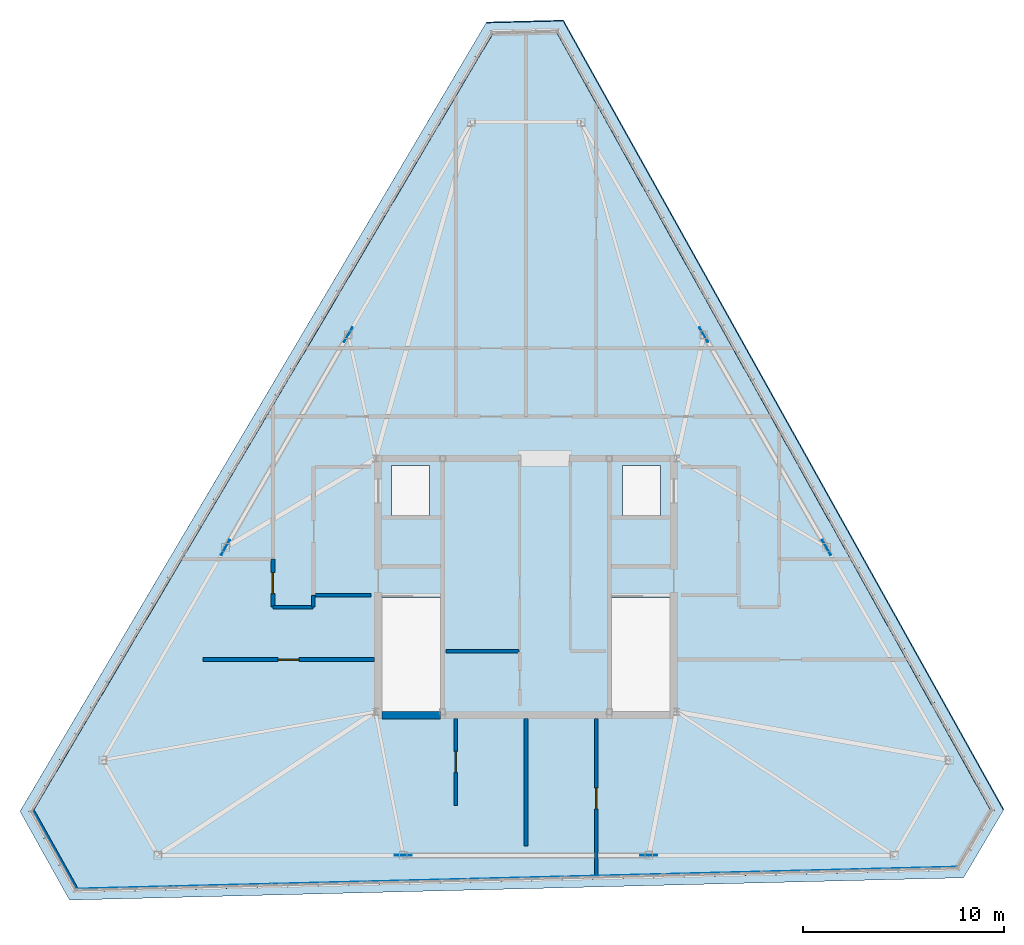
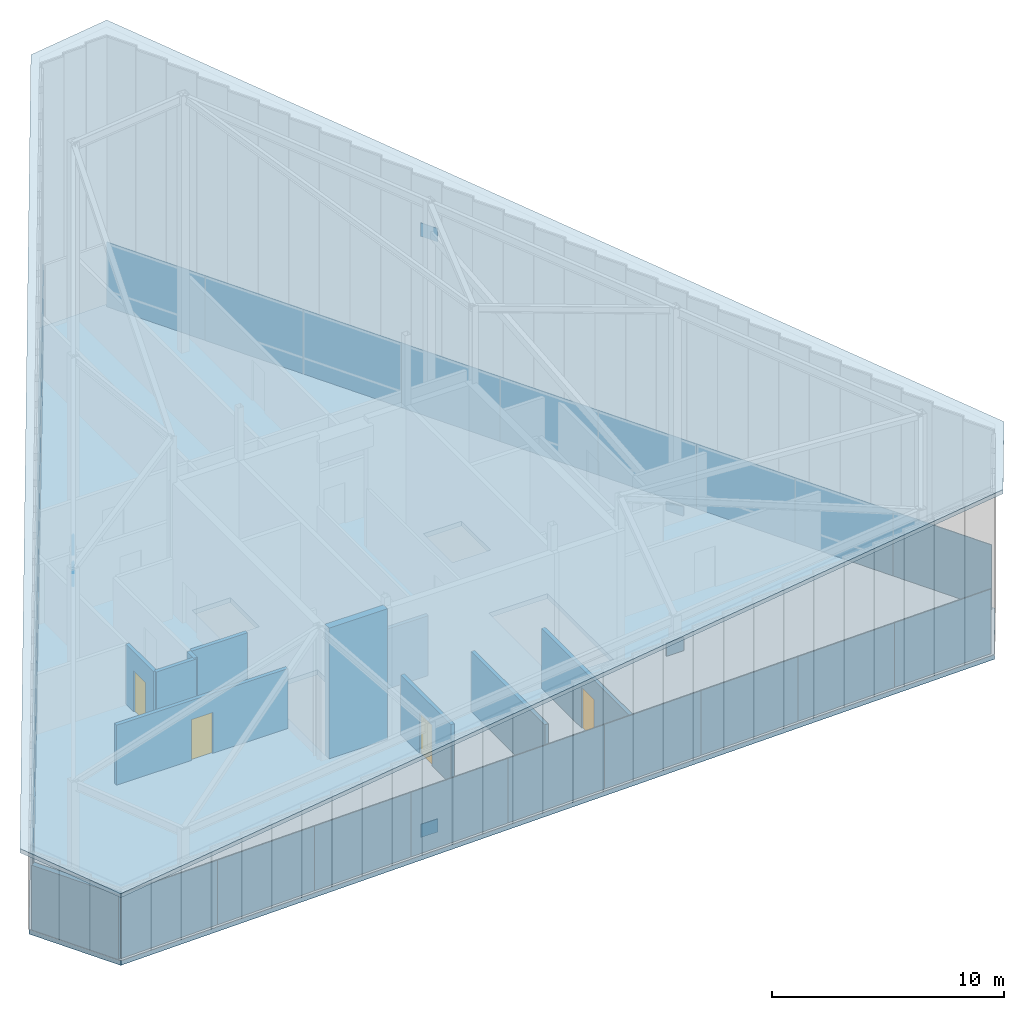
# One storey, part 43 of 50: 33 plates, 11 walls, 4 doors, 2 slabs, 4 openings, 9 elements without a shape of their own.
"""IFC4 building model written with IfcOpenShell, lengths in metres."""

from ifc_helpers import new_model, si_unit, direction, frame, frame_2d, origin, origin_2d, place, context, subcontext, project, spatial, polyline, rectangle, outline, extrude, source, transform, mapped, material, layer, layer_set, type_object, type_shapes, element, fill, aggregate, save


model = new_model("IFC4")

# Units and contexts
model_context = context("Model", 3, precision=1e-05, world=origin(), true_north=direction((0.0, 1.0)))
body_context = subcontext(model_context, "Body", "Model", "MODEL_VIEW")
ifc_project = project(units=[si_unit("LENGTHUNIT", "METRE"), si_unit("AREAUNIT", "SQUARE_METRE"), si_unit("VOLUMEUNIT", "CUBIC_METRE"), si_unit("PLANEANGLEUNIT", "RADIAN"), si_unit("MASSUNIT", "GRAM", prefix="KILO")], contexts=[model_context])

# Site, building, storey
site_placement = place(None, origin())
site = spatial("IfcSite", under=ifc_project, at=site_placement, CompositionType="ELEMENT")
building_placement = place(site_placement, origin())
building = spatial("IfcBuilding", under=site, at=building_placement, Name="Caelisora Broadcast Tower", CompositionType="ELEMENT")
storey_placement = place(building_placement, frame((0.0, 0.0, 303.39990234375)))
storey = spatial("IfcBuildingStorey", under=building, at=storey_placement, Name="L80", CompositionType="ELEMENT", Elevation=303.39990234375)

# Slabs
ifc_material_1 = material(Name="Concrete 40 MPa (AS 3600 N40)", Category="concrete")
ifc_layer_1 = layer(ifc_material_1, 0.260009765625, Name="Concrete 40 MPa (AS 3600 N40)")
ifc_layer_set_1 = layer_set([ifc_layer_1], Name="Concrete 40 MPa (AS 3600 N40)")
slab_type_1 = type_object("IfcSlabType", Name="RF01", PredefinedType="ROOF", material=ifc_layer_set_1)
slab_1_placement = place(storey_placement, frame((39.842041015625, 51.794921875, 14.623046875), z_axis=(-0.105085544024, -0.182035990985, 0.977660435132), x_axis=(0.484325040695, -0.868001148184, -0.109559398081)))
element("IfcSlab", 1, at=slab_1_placement, inside=storey, type_object=slab_type_1, Name="L80 slanted-cut crown roof slab RF01", PredefinedType="ROOF", context=body_context, shape_type="SweptSolid", body=[
    extrude(outline(polyline([(0.0, 0.0), (45.27748755928181, 6.661338147750939e-16), (47.32554363746618, -3.428629944357997), (27.274695439327783, -43.50199882967678), (22.187012287938284, -43.50193522195959), (-1.7247243468640443, -3.4479026048005434), (0.0, 0.0)])), origin(), (0.0, 0.0, -1.0), 0.260009765625),
])
ifc_material_2 = material(Name="Concrete 45 MPa (AS 3600 S45)", Category="concrete")
ifc_layer_2 = layer(ifc_material_2, 0.25, Name="Concrete 45 MPa (AS 3600 S45)")
ifc_layer_set_2 = layer_set([ifc_layer_2], Name="Concrete 45 MPa (AS 3600 S45)")
slab_type_2 = type_object("IfcSlabType", Name="SL05", PredefinedType="FLOOR", material=ifc_layer_set_2)
slab_2_placement = place(storey_placement, frame((0.0, 0.0, -0.25)))
element("IfcSlab", 2, at=slab_2_placement, inside=storey, type_object=slab_type_2, Name="L80 suspended floor SL05", PredefinedType="FLOOR", context=body_context, shape_type="SweptSolid", body=[
    extrude(outline(polyline([(61.3330078125, 12.4990234375), (59.56494140625, 9.507080078125), (15.488037109375, 8.408935546875), (13.241943359375, 12.43408203125), (36.23193359375, 51.323974609375), (39.6220703125, 51.408935546875), (61.3330078125, 12.4990234375)]), holes=[polyline([(30.820068359375, 17.39990234375), (33.739990234375, 17.39990234375), (33.739990234375, 23.080078125), (30.820068359375, 23.080078125), (30.820068359375, 17.39990234375)]), polyline([(42.260009765625, 17.39990234375), (45.179931640625, 17.39990234375), (45.179931640625, 23.080078125), (42.260009765625, 23.080078125), (42.260009765625, 17.39990234375)]), polyline([(42.800048828125, 27.14990234375), (44.699951171875, 27.14990234375), (44.699951171875, 29.64990234375), (42.800048828125, 29.64990234375), (42.800048828125, 27.14990234375)]), polyline([(31.300048828125, 27.14990234375), (33.199951171875, 27.14990234375), (33.199951171875, 29.64990234375), (31.300048828125, 29.64990234375), (31.300048828125, 27.14990234375)])]), origin(), (0.0, 0.0, 1.0), 0.25),
])

# Plates
ifc_material_3 = material(Name="Steel Grade 350 L15 (AS/NZS 3678)", Category="steel")
ifc_layer_3 = layer(ifc_material_3, 0.0400390625, Name="Steel Grade 350 L15 (AS/NZS 3678)")
ifc_layer_set_3 = layer_set([ifc_layer_3], Name="Steel Grade 350 L15 (AS/NZS 3678)")
plate_type_1 = type_object("IfcPlateType", Name="GP04", PredefinedType="USERDEFINED", material=ifc_layer_set_3)
shared_shape_1 = source(origin(), body_context, "Body", "SweptSolid", [
    extrude(rectangle(XDim=0.85009765625, YDim=0.0400390625, at=origin_2d()), origin(), (0.0, 0.0, 1.0), 0.699951171875),
])
type_shapes(plate_type_1, [shared_shape_1])
for number, where, z_axis, x_axis, name in (
    (3, (29.1484375, 36.168701171875, -0.22998046875), (0.0, 0.0, 1.0), (-0.5, -0.866025403784, 0.0), "L80 gusset plate GP04 (ND-L80-C02B)"),
    (4, (23.035888671875, 25.581298828125, 6.92626953125), (0.0, 0.0, 1.0), (-0.5, -0.866025403784, 0.0), "L80 gusset plate GP04 (ND-L80-C03T)"),
    (5, (31.88720703125, 10.25, -0.22998046875), (0.0, 0.0, 1.0), (1.0, 0.0, 0.0), "L80 gusset plate GP04 (ND-L80-C06B)"),
    (6, (44.11279296875, 10.25, 5.02294921875), (0.0, 0.0, 1.0), (1.0, 0.0, 0.0), "L80 gusset plate GP04 (ND-L80-C07T)"),
    (7, (52.964111328125, 25.581298828125, -0.22998046875), (0.0, 0.0, 1.0), (-0.5, 0.866025403784, 0.0), "L80 gusset plate GP04 (ND-L80-C10B)"),
    (8, (46.8515625, 36.168701171875, 10.14306640625), (0.0, 0.0, 1.0), (-0.5, 0.866025403784, 0.0), "L80 gusset plate GP04 (ND-L80-C11T)"),
):
    element("IfcPlate", number, at=place(storey_placement, frame(where, z_axis=z_axis, x_axis=x_axis)), inside=storey, type_object=plate_type_1, Name=name, ObjectType="GUSSET PLATE", PredefinedType="USERDEFINED", context=body_context, shape_type="MappedRepresentation", body=[
        mapped(shared_shape_1, transform((0.0, 0.0, 0.0), scale=1.0)),
    ])

# Curtain wall, plates
ifc_material_4 = material(Name="Unitised Aluminium Insulated Shadow-Box Spandrel Curtain Wall", Category="aluminium")
curtain_wall_type = type_object("IfcCurtainWallType", Name="CW-SP3", PredefinedType="NOTDEFINED", material=ifc_material_4)
curtain_wall_1_placement = place(storey_placement, origin())
curtain_wall_1 = element("IfcCurtainWall", 9, at=curtain_wall_1_placement, inside=storey, type_object=curtain_wall_type, Name="L80 curtain wall CW-SP3", PredefinedType="NOTDEFINED")
ifc_material_5 = material(Name="Insulated Terracotta Shadow-Box Spandrel Panel", Category="aluminium")
ifc_layer_4 = layer(ifc_material_5, 0.0439453125, Name="Insulated Terracotta Shadow-Box Spandrel Panel")
ifc_layer_set_4 = layer_set([ifc_layer_4], Name="Insulated Terracotta Shadow-Box Spandrel Panel")
plate_type_2 = type_object("IfcPlateType", Name="CWP-10", PredefinedType="CURTAIN_PANEL", material=ifc_layer_set_4)
shared_shape_2 = source(origin(), body_context, "Body", "SweptSolid", [
    extrude(rectangle(XDim=4.929443359375, YDim=0.0439453125, at=origin_2d()), origin(), (0.0, 0.0, 1.0), 3.39990234375),
])
plate_1_placement = place(storey_placement, frame((40.736083984375, 49.1044921875, 0.000244140625), z_axis=(0.0, 0.0, 1.0), x_axis=(0.487250125725, -0.87326245481, 0.0)))
plate_1 = element("IfcPlate", 10, at=plate_1_placement, type_object=plate_type_2, Name="L80-CW-B01 spandrel panel #1", PredefinedType="CURTAIN_PANEL", context=body_context, shape_type="MappedRepresentation", body=[
    mapped(shared_shape_2, transform((0.0, 0.0, 0.0), scale=1.0)),
])
plate_2_placement = place(storey_placement, frame((43.137939453125, 44.7998046875, 0.000244140625), z_axis=(0.0, 0.0, 1.0), x_axis=(0.487250125725, -0.87326245481, 0.0)))
plate_2 = element("IfcPlate", 11, at=plate_2_placement, type_object=plate_type_2, Name="L80-CW-B01 spandrel panel #2", PredefinedType="CURTAIN_PANEL", context=body_context, shape_type="MappedRepresentation", body=[
    mapped(shared_shape_2, transform((0.0, 0.0, 0.0), scale=1.0)),
])
plate_3_placement = place(storey_placement, frame((45.539794921875, 40.4951171875, 0.000244140625), z_axis=(0.0, 0.0, 1.0), x_axis=(0.487250125725, -0.87326245481, 0.0)))
plate_3 = element("IfcPlate", 12, at=plate_3_placement, type_object=plate_type_2, Name="L80-CW-B01 spandrel panel #3", PredefinedType="CURTAIN_PANEL", context=body_context, shape_type="MappedRepresentation", body=[
    mapped(shared_shape_2, transform((0.0, 0.0, 0.0), scale=1.0)),
])
aggregate(curtain_wall_1, [plate_1, plate_2, plate_3])

curtain_wall_2_placement = place(storey_placement, origin())
curtain_wall_2 = element("IfcCurtainWall", 13, at=curtain_wall_2_placement, inside=storey, type_object=curtain_wall_type, Name="L80 curtain wall CW-SP3", PredefinedType="NOTDEFINED")
plate_4_placement = place(storey_placement, frame((55.155029296875, 23.262939453125, 0.000244140625), z_axis=(0.0, 0.0, 1.0), x_axis=(0.487250125725, -0.87326245481, 0.0)))
plate_4 = element("IfcPlate", 14, at=plate_4_placement, type_object=plate_type_2, Name="L80-CW-B03 spandrel panel #1", PredefinedType="CURTAIN_PANEL", context=body_context, shape_type="MappedRepresentation", body=[
    mapped(shared_shape_2, transform((0.0, 0.0, 0.0), scale=1.0)),
])
plate_5_placement = place(storey_placement, frame((57.55712890625, 18.958251953125, 0.000244140625), z_axis=(0.0, 0.0, 1.0), x_axis=(0.487250125725, -0.87326245481, 0.0)))
plate_5 = element("IfcPlate", 15, at=plate_5_placement, type_object=plate_type_2, Name="L80-CW-B03 spandrel panel #2", PredefinedType="CURTAIN_PANEL", context=body_context, shape_type="MappedRepresentation", body=[
    mapped(shared_shape_2, transform((0.0, 0.0, 0.0), scale=1.0)),
])
plate_6_placement = place(storey_placement, frame((59.958984375, 14.6533203125, 0.000244140625), z_axis=(0.0, 0.0, 1.0), x_axis=(0.487250125725, -0.87326245481, 0.0)))
plate_6 = element("IfcPlate", 16, at=plate_6_placement, type_object=plate_type_2, Name="L80-CW-B03 spandrel panel #3", PredefinedType="CURTAIN_PANEL", context=body_context, shape_type="MappedRepresentation", body=[
    mapped(shared_shape_2, transform((0.0, 0.0, 0.0), scale=1.0)),
])
aggregate(curtain_wall_2, [plate_4, plate_5, plate_6])

curtain_wall_3_placement = place(storey_placement, origin())
curtain_wall_3 = element("IfcCurtainWall", 17, at=curtain_wall_3_placement, inside=storey, type_object=curtain_wall_type, Name="L80 curtain wall CW-SP3", PredefinedType="NOTDEFINED")
shared_shape_3 = source(origin(), body_context, "Body", "SweptSolid", [
    extrude(rectangle(XDim=4.927978515625, YDim=0.0439453125, at=origin_2d()), origin(), (0.0, 0.0, 1.0), 3.39990234375),
])
plate_7_placement = place(storey_placement, frame((47.9462890625, 36.182373046875, 0.000244140625), z_axis=(0.0, 0.0, 1.0), x_axis=(0.487250125725, -0.87326245481, 0.0)))
plate_7 = element("IfcPlate", 18, at=plate_7_placement, type_object=plate_type_2, Name="L80-CW-B02 spandrel panel #1", PredefinedType="CURTAIN_PANEL", context=body_context, shape_type="MappedRepresentation", body=[
    mapped(shared_shape_3, transform((0.0, 0.0, 0.0), scale=1.0)),
])
plate_8_placement = place(storey_placement, frame((50.347412109375, 31.87890625, 0.000244140625), z_axis=(0.0, 0.0, 1.0), x_axis=(0.487250125725, -0.87326245481, 0.0)))
plate_8 = element("IfcPlate", 19, at=plate_8_placement, type_object=plate_type_2, Name="L80-CW-B02 spandrel panel #2", PredefinedType="CURTAIN_PANEL", context=body_context, shape_type="MappedRepresentation", body=[
    mapped(shared_shape_3, transform((0.0, 0.0, 0.0), scale=1.0)),
])
plate_9_placement = place(storey_placement, frame((52.748779296875, 27.57568359375, 0.000244140625), z_axis=(0.0, 0.0, 1.0), x_axis=(0.487250125725, -0.87326245481, 0.0)))
plate_9 = element("IfcPlate", 20, at=plate_9_placement, type_object=plate_type_2, Name="L80-CW-B02 spandrel panel #3", PredefinedType="CURTAIN_PANEL", context=body_context, shape_type="MappedRepresentation", body=[
    mapped(shared_shape_3, transform((0.0, 0.0, 0.0), scale=1.0)),
])
aggregate(curtain_wall_3, [plate_7, plate_8, plate_9])

curtain_wall_4_placement = place(storey_placement, origin())
curtain_wall_4 = element("IfcCurtainWall", 21, at=curtain_wall_4_placement, inside=storey, type_object=curtain_wall_type, Name="L80 curtain wall CW-SP3", PredefinedType="NOTDEFINED")
shared_shape_4 = source(origin(), body_context, "Body", "SweptSolid", [
    extrude(rectangle(XDim=4.8779296875, YDim=0.0439453125, at=origin_2d()), origin(), (0.0, 0.0, 1.0), 3.39990234375),
])
plate_10_placement = place(storey_placement, frame((57.039794921875, 9.59423828125, 0.000244140625), z_axis=(0.0, 0.0, 1.0), x_axis=(-0.999688560086, -0.024955617256, 0.0)))
plate_10 = element("IfcPlate", 22, at=plate_10_placement, type_object=plate_type_2, Name="L80-CW-B05 spandrel panel #1", PredefinedType="CURTAIN_PANEL", context=body_context, shape_type="MappedRepresentation", body=[
    mapped(shared_shape_4, transform((0.0, 0.0, 0.0), scale=1.0)),
])
plate_11_placement = place(storey_placement, frame((52.163330078125, 9.47265625, 0.000244140625), z_axis=(0.0, 0.0, 1.0), x_axis=(-0.999688560086, -0.024955617256, 0.0)))
plate_11 = element("IfcPlate", 23, at=plate_11_placement, type_object=plate_type_2, Name="L80-CW-B05 spandrel panel #2", PredefinedType="CURTAIN_PANEL", context=body_context, shape_type="MappedRepresentation", body=[
    mapped(shared_shape_4, transform((0.0, 0.0, 0.0), scale=1.0)),
])
plate_12_placement = place(storey_placement, frame((47.286865234375, 9.351318359375, 0.000244140625), z_axis=(0.0, 0.0, 1.0), x_axis=(-0.999688560086, -0.024955617256, 0.0)))
plate_12 = element("IfcPlate", 24, at=plate_12_placement, type_object=plate_type_2, Name="L80-CW-B05 spandrel panel #3", PredefinedType="CURTAIN_PANEL", context=body_context, shape_type="MappedRepresentation", body=[
    mapped(shared_shape_4, transform((0.0, 0.0, 0.0), scale=1.0)),
])
aggregate(curtain_wall_4, [plate_10, plate_11, plate_12])

curtain_wall_5_placement = place(storey_placement, origin())
curtain_wall_5 = element("IfcCurtainWall", 25, at=curtain_wall_5_placement, inside=storey, type_object=curtain_wall_type, Name="L80 curtain wall CW-SP3", PredefinedType="NOTDEFINED")
plate_13_placement = place(storey_placement, frame((27.76611328125, 8.86474609375, 0.000244140625), z_axis=(0.0, 0.0, 1.0), x_axis=(-0.999688560086, -0.024955617256, 0.0)))
plate_13 = element("IfcPlate", 26, at=plate_13_placement, type_object=plate_type_2, Name="L80-CW-B07 spandrel panel #1", PredefinedType="CURTAIN_PANEL", context=body_context, shape_type="MappedRepresentation", body=[
    mapped(shared_shape_4, transform((0.0, 0.0, 0.0), scale=1.0)),
])
plate_14_placement = place(storey_placement, frame((22.8896484375, 8.743408203125, 0.000244140625), z_axis=(0.0, 0.0, 1.0), x_axis=(-0.999688560086, -0.024955617256, 0.0)))
plate_14 = element("IfcPlate", 27, at=plate_14_placement, type_object=plate_type_2, Name="L80-CW-B07 spandrel panel #2", PredefinedType="CURTAIN_PANEL", context=body_context, shape_type="MappedRepresentation", body=[
    mapped(shared_shape_4, transform((0.0, 0.0, 0.0), scale=1.0)),
])
plate_15_placement = place(storey_placement, frame((18.01318359375, 8.621826171875, 0.000244140625), z_axis=(0.0, 0.0, 1.0), x_axis=(-0.999688560086, -0.024955617256, 0.0)))
plate_15 = element("IfcPlate", 28, at=plate_15_placement, type_object=plate_type_2, Name="L80-CW-B07 spandrel panel #3", PredefinedType="CURTAIN_PANEL", context=body_context, shape_type="MappedRepresentation", body=[
    mapped(shared_shape_4, transform((0.0, 0.0, 0.0), scale=1.0)),
])
aggregate(curtain_wall_5, [plate_13, plate_14, plate_15])

curtain_wall_6_placement = place(storey_placement, origin())
curtain_wall_6 = element("IfcCurtainWall", 29, at=curtain_wall_6_placement, inside=storey, type_object=curtain_wall_type, Name="L80 curtain wall CW-SP3", PredefinedType="NOTDEFINED")
shared_shape_5 = source(origin(), body_context, "Body", "SweptSolid", [
    extrude(rectangle(XDim=4.876220703125, YDim=0.0439453125, at=origin_2d()), origin(), (0.0, 0.0, 1.0), 3.39990234375),
])
plate_16_placement = place(storey_placement, frame((42.4013671875, 9.2294921875, 0.000244140625), z_axis=(0.0, 0.0, 1.0), x_axis=(-0.999688560086, -0.024955617256, 0.0)))
plate_16 = element("IfcPlate", 30, at=plate_16_placement, type_object=plate_type_2, Name="L80-CW-B06 spandrel panel #1", PredefinedType="CURTAIN_PANEL", context=body_context, shape_type="MappedRepresentation", body=[
    mapped(shared_shape_5, transform((0.0, 0.0, 0.0), scale=1.0)),
])
plate_17_placement = place(storey_placement, frame((37.526611328125, 9.10791015625, 0.000244140625), z_axis=(0.0, 0.0, 1.0), x_axis=(-0.999688560086, -0.024955617256, 0.0)))
plate_17 = element("IfcPlate", 31, at=plate_17_placement, type_object=plate_type_2, Name="L80-CW-B06 spandrel panel #2", PredefinedType="CURTAIN_PANEL", context=body_context, shape_type="MappedRepresentation", body=[
    mapped(shared_shape_5, transform((0.0, 0.0, 0.0), scale=1.0)),
])
plate_18_placement = place(storey_placement, frame((32.651611328125, 8.986572265625, 0.000244140625), z_axis=(0.0, 0.0, 1.0), x_axis=(-0.999688560086, -0.024955617256, 0.0)))
plate_18 = element("IfcPlate", 32, at=plate_18_placement, type_object=plate_type_2, Name="L80-CW-B06 spandrel panel #3", PredefinedType="CURTAIN_PANEL", context=body_context, shape_type="MappedRepresentation", body=[
    mapped(shared_shape_5, transform((0.0, 0.0, 0.0), scale=1.0)),
])
aggregate(curtain_wall_6, [plate_16, plate_17, plate_18])

curtain_wall_7_placement = place(storey_placement, origin())
curtain_wall_7 = element("IfcCurtainWall", 33, at=curtain_wall_7_placement, inside=storey, type_object=curtain_wall_type, Name="L80 curtain wall CW-SP3", PredefinedType="NOTDEFINED")
shared_shape_6 = source(origin(), body_context, "Body", "SweptSolid", [
    extrude(rectangle(XDim=4.999267578125, YDim=0.0439453125, at=origin_2d()), origin(), (0.0, 0.0, 1.0), 3.39990234375),
])
plate_19_placement = place(storey_placement, frame((14.68701171875, 14.583740234375, 0.000244140625), z_axis=(0.0, 0.0, 1.0), x_axis=(0.508891180174, 0.860830858381, 0.0)))
plate_19 = element("IfcPlate", 34, at=plate_19_placement, type_object=plate_type_2, Name="L80-CW-B09 spandrel panel #1", PredefinedType="CURTAIN_PANEL", context=body_context, shape_type="MappedRepresentation", body=[
    mapped(shared_shape_6, transform((0.0, 0.0, 0.0), scale=1.0)),
])
plate_20_placement = place(storey_placement, frame((17.231201171875, 18.88720703125, 0.000244140625), z_axis=(0.0, 0.0, 1.0), x_axis=(0.508891180174, 0.860830858381, 0.0)))
plate_20 = element("IfcPlate", 35, at=plate_20_placement, type_object=plate_type_2, Name="L80-CW-B09 spandrel panel #2", PredefinedType="CURTAIN_PANEL", context=body_context, shape_type="MappedRepresentation", body=[
    mapped(shared_shape_6, transform((0.0, 0.0, 0.0), scale=1.0)),
])
plate_21_placement = place(storey_placement, frame((19.775146484375, 23.190673828125, 0.000244140625), z_axis=(0.0, 0.0, 1.0), x_axis=(0.508891180174, 0.860830858381, 0.0)))
plate_21 = element("IfcPlate", 36, at=plate_21_placement, type_object=plate_type_2, Name="L80-CW-B09 spandrel panel #3", PredefinedType="CURTAIN_PANEL", context=body_context, shape_type="MappedRepresentation", body=[
    mapped(shared_shape_6, transform((0.0, 0.0, 0.0), scale=1.0)),
])
aggregate(curtain_wall_7, [plate_19, plate_20, plate_21])

curtain_wall_8_placement = place(storey_placement, origin())
curtain_wall_8 = element("IfcCurtainWall", 37, at=curtain_wall_8_placement, inside=storey, type_object=curtain_wall_type, Name="L80 curtain wall CW-SP3", PredefinedType="NOTDEFINED")
plate_22_placement = place(storey_placement, frame((29.958984375, 40.41748046875, 0.000244140625), z_axis=(0.0, 0.0, 1.0), x_axis=(0.508891180174, 0.860830858381, 0.0)))
plate_22 = element("IfcPlate", 38, at=plate_22_placement, type_object=plate_type_2, Name="L80-CW-B11 spandrel panel #1", PredefinedType="CURTAIN_PANEL", context=body_context, shape_type="MappedRepresentation", body=[
    mapped(shared_shape_6, transform((0.0, 0.0, 0.0), scale=1.0)),
])
plate_23_placement = place(storey_placement, frame((32.5029296875, 44.720703125, 0.000244140625), z_axis=(0.0, 0.0, 1.0), x_axis=(0.508891180174, 0.860830858381, 0.0)))
plate_23 = element("IfcPlate", 39, at=plate_23_placement, type_object=plate_type_2, Name="L80-CW-B11 spandrel panel #2", PredefinedType="CURTAIN_PANEL", context=body_context, shape_type="MappedRepresentation", body=[
    mapped(shared_shape_6, transform((0.0, 0.0, 0.0), scale=1.0)),
])
plate_24_placement = place(storey_placement, frame((35.047119140625, 49.0244140625, 0.000244140625), z_axis=(0.0, 0.0, 1.0), x_axis=(0.508891180174, 0.860830858381, 0.0)))
plate_24 = element("IfcPlate", 40, at=plate_24_placement, type_object=plate_type_2, Name="L80-CW-B11 spandrel panel #3", PredefinedType="CURTAIN_PANEL", context=body_context, shape_type="MappedRepresentation", body=[
    mapped(shared_shape_6, transform((0.0, 0.0, 0.0), scale=1.0)),
])
aggregate(curtain_wall_8, [plate_22, plate_23, plate_24])

curtain_wall_9_placement = place(storey_placement, origin())
curtain_wall_9 = element("IfcCurtainWall", 41, at=curtain_wall_9_placement, inside=storey, type_object=curtain_wall_type, Name="L80 curtain wall CW-SP3", PredefinedType="NOTDEFINED")
shared_shape_7 = source(origin(), body_context, "Body", "SweptSolid", [
    extrude(rectangle(XDim=4.99755859375, YDim=0.0439453125, at=origin_2d()), origin(), (0.0, 0.0, 1.0), 3.39990234375),
])
type_shapes(plate_type_2, [shared_shape_2, shared_shape_3, shared_shape_4, shared_shape_5, shared_shape_6, shared_shape_7])
plate_25_placement = place(storey_placement, frame((22.32373046875, 27.501953125, 0.000244140625), z_axis=(0.0, 0.0, 1.0), x_axis=(0.508891180174, 0.860830858381, 0.0)))
plate_25 = element("IfcPlate", 42, at=plate_25_placement, type_object=plate_type_2, Name="L80-CW-B10 spandrel panel #1", PredefinedType="CURTAIN_PANEL", context=body_context, shape_type="MappedRepresentation", body=[
    mapped(shared_shape_7, transform((0.0, 0.0, 0.0), scale=1.0)),
])
plate_26_placement = place(storey_placement, frame((24.866943359375, 31.803955078125, 0.000244140625), z_axis=(0.0, 0.0, 1.0), x_axis=(0.508891180174, 0.860830858381, 0.0)))
plate_26 = element("IfcPlate", 43, at=plate_26_placement, type_object=plate_type_2, Name="L80-CW-B10 spandrel panel #2", PredefinedType="CURTAIN_PANEL", context=body_context, shape_type="MappedRepresentation", body=[
    mapped(shared_shape_7, transform((0.0, 0.0, 0.0), scale=1.0)),
])
plate_27_placement = place(storey_placement, frame((27.41015625, 36.10595703125, 0.000244140625), z_axis=(0.0, 0.0, 1.0), x_axis=(0.508891180174, 0.860830858381, 0.0)))
plate_27 = element("IfcPlate", 44, at=plate_27_placement, type_object=plate_type_2, Name="L80-CW-B10 spandrel panel #3", PredefinedType="CURTAIN_PANEL", context=body_context, shape_type="MappedRepresentation", body=[
    mapped(shared_shape_7, transform((0.0, 0.0, 0.0), scale=1.0)),
])
aggregate(curtain_wall_9, [plate_25, plate_26, plate_27])

# Walls
ifc_layer_5 = layer(ifc_material_1, 0.35009765625, Name="Concrete 40 MPa (AS 3600 N40)")
ifc_layer_set_5 = layer_set([ifc_layer_5], Name="Concrete 40 MPa (AS 3600 N40)")
wall_type_1 = type_object("IfcWallType", Name="CW6", PredefinedType="SHEAR", material=ifc_layer_set_5)
wall_1_placement = place(storey_placement, frame((30.840087890625, 17.22509765625, 0.0), z_axis=(0.0, 0.0, 1.0), x_axis=(1.0, 0.0, 0.0)))
element("IfcWall", 45, at=wall_1_placement, inside=storey, type_object=wall_type_1, Name="L80 core shear wall CW6", PredefinedType="SHEAR", context=body_context, shape_type="SweptSolid", body=[
    extrude(rectangle(XDim=2.89990234375, YDim=0.35009765625, at=frame_2d((1.449951171875, 0.0))), origin(), (0.0, 0.0, 1.0), 6.8701171875),
])
ifc_material_6 = material(Name="Fire-Rated Acoustic Plant Enclosure Wall", Category="masonry")
ifc_layer_6 = layer(ifc_material_6, 0.260009765625, Name="Fire-Rated Acoustic Plant Enclosure Wall")
ifc_layer_set_6 = layer_set([ifc_layer_6], Name="Fire-Rated Acoustic Plant Enclosure Wall")
wall_type_2 = type_object("IfcWallType", Name="EW2", PredefinedType="STANDARD", material=ifc_layer_set_6)
wall_2_placement = place(storey_placement, frame((15.560302734375, 8.587158203125, 0.0), z_axis=(0.0, 0.0, 1.0), x_axis=(-0.487244383576, 0.873265658705, 0.0)))
element("IfcWall", 46, at=wall_2_placement, inside=storey, type_object=wall_type_2, Name="L80 exterior envelope wall EW2", PredefinedType="STANDARD", context=body_context, shape_type="SweptSolid", body=[
    extrude(rectangle(XDim=4.372802734375, YDim=0.260009765625, at=frame_2d((2.1865234375, 0.0))), origin(), (0.0, 0.0, 1.0), 3.400146484375),
])
ifc_material_7 = material(Name="Fire-Rated Gypsum Shaft and Compartment Wall", Category="gypsum")
ifc_layer_7 = layer(ifc_material_7, 0.179931640625, Name="Fire-Rated Gypsum Shaft and Compartment Wall")
ifc_layer_set_7 = layer_set([ifc_layer_7], Name="Fire-Rated Gypsum Shaft and Compartment Wall")
wall_type_3 = type_object("IfcWallType", Name="PW2", PredefinedType="PARTITIONING", material=ifc_layer_set_7)
wall_3_placement = place(storey_placement, frame((27.52001953125, 23.199951171875, 0.0), z_axis=(0.0, 0.0, 1.0), x_axis=(1.0, 0.0, 0.0)))
element("IfcWall", 47, at=wall_3_placement, inside=storey, type_object=wall_type_3, Name="L80 fire compartment wall PW2", PredefinedType="PARTITIONING", context=body_context, shape_type="SweptSolid", body=[
    extrude(rectangle(XDim=2.760009765625, YDim=0.179931640625, at=frame_2d((1.3798828125, 0.0))), origin(), (0.0, 0.0, 1.0), 3.150146484375),
])
wall_4_placement = place(storey_placement, frame((34.02001953125, 20.419921875, 0.0), z_axis=(0.0, 0.0, 1.0), x_axis=(1.0, 0.0, 0.0)))
element("IfcWall", 48, at=wall_4_placement, inside=storey, type_object=wall_type_3, Name="L80 fire compartment wall PW2", PredefinedType="PARTITIONING", context=body_context, shape_type="SweptSolid", body=[
    extrude(rectangle(XDim=3.639892578125, YDim=0.179931640625, at=frame_2d((1.81982421875, 0.0))), origin(), (0.0, 0.0, 1.0), 3.150146484375),
])

# Wall, opening, door
wall_5_placement = place(storey_placement, frame((21.919921875, 20.0, 0.0), z_axis=(0.0, 0.0, 1.0), x_axis=(1.0, 0.0, 0.0)))
wall_5 = element("IfcWall", 49, at=wall_5_placement, inside=storey, type_object=wall_type_3, Name="L80 fire compartment wall PW2", PredefinedType="PARTITIONING", context=body_context, shape_type="SweptSolid", body=[
    extrude(rectangle(XDim=8.525146484375, YDim=0.179931640625, at=frame_2d((4.2626953125, 0.0))), origin(), (0.0, 0.0, 1.0), 3.150146484375),
])
opening_1_placement = place(wall_5_placement, frame((3.737060546875, 0.0, 0.0)))
opening_1 = element("IfcOpeningElement", 50, at=opening_1_placement, cuts=wall_5, Name="Opening FD02", PredefinedType="OPENING", context=body_context, shape_type="SweptSolid", body=[
    extrude(rectangle(XDim=1.050048828125, YDim=2.14990234375, at=frame_2d((0.52490234375, 1.074951171875))), frame((0.0, 0.10205078125, 0.0), z_axis=(0.0, -1.0, 0.0), x_axis=(1.0, 0.0, 0.0)), (0.0, 0.0, 1.0), 0.203857421875),
])
ifc_material_8 = material(Name="Single-Leaf Steel Fire Lobby Door", Category="steel")
door_type = type_object("IfcDoorType", Name="FD02", OperationType="NOTDEFINED", PredefinedType="DOOR", material=ifc_material_8)
door_1_placement = place(opening_1_placement, origin())
door_1 = element("IfcDoor", 51, at=door_1_placement, inside=storey, type_object=door_type, Name="L80 door FD02 (L80-DR-P19D1)", OperationType="SINGLE_SWING_LEFT", OverallHeight=2.14990234375, OverallWidth=1.050048828125, PredefinedType="DOOR", context=body_context, shape_type="SweptSolid", body=[
    extrude(rectangle(XDim=1.050048828125, YDim=2.14990234375, at=frame_2d((0.52490234375, 1.074951171875))), frame((0.0, 0.02490234375, 0.0), z_axis=(0.0, -1.0, 0.0), x_axis=(1.0, 0.0, 0.0)), (0.0, 0.0, 1.0), 0.050048828125),
])
fill(opening_1, door_1)

wall_6_placement = place(storey_placement, frame((41.5, 9.22705078125, 0.0), z_axis=(0.0, 0.0, 1.0), x_axis=(0.0, 1.0, 0.0)))
wall_6 = element("IfcWall", 52, at=wall_6_placement, inside=storey, type_object=wall_type_3, Name="L80 fire compartment wall PW2", PredefinedType="PARTITIONING", context=body_context, shape_type="SweptSolid", body=[
    extrude(rectangle(XDim=7.847900390625, YDim=0.179931640625, at=frame_2d((3.923828125, 0.0))), origin(), (0.0, 0.0, 1.0), 3.150146484375),
])
opening_2_placement = place(wall_6_placement, frame((3.3330078125, 0.0, 0.0)))
opening_2 = element("IfcOpeningElement", 53, at=opening_2_placement, cuts=wall_6, Name="Opening FD02", PredefinedType="OPENING", context=body_context, shape_type="SweptSolid", body=[
    extrude(rectangle(XDim=1.050048828125, YDim=2.14990234375, at=frame_2d((0.52490234375, 1.074951171875))), frame((0.0, 0.10205078125, 0.0), z_axis=(0.0, -1.0, 0.0), x_axis=(1.0, 0.0, 0.0)), (0.0, 0.0, 1.0), 0.203857421875),
])
door_2_placement = place(opening_2_placement, origin())
door_2 = element("IfcDoor", 54, at=door_2_placement, inside=storey, type_object=door_type, Name="L80 door FD02 (L80-DR-P21D1)", OperationType="SINGLE_SWING_LEFT", OverallHeight=2.14990234375, OverallWidth=1.050048828125, PredefinedType="DOOR", context=body_context, shape_type="SweptSolid", body=[
    extrude(rectangle(XDim=1.050048828125, YDim=2.14990234375, at=frame_2d((0.52490234375, 1.074951171875))), frame((0.0, 0.02490234375, 0.0), z_axis=(0.0, -1.0, 0.0), x_axis=(1.0, 0.0, 0.0)), (0.0, 0.0, 1.0), 0.050048828125),
])
fill(opening_2, door_2)

# Wall
wall_7_placement = place(storey_placement, frame((38.0, 10.719970703125, 0.0), z_axis=(0.0, 0.0, 1.0), x_axis=(0.0, 1.0, 0.0)))
element("IfcWall", 55, at=wall_7_placement, inside=storey, type_object=wall_type_3, Name="L80 fire compartment wall PW2", PredefinedType="PARTITIONING", context=body_context, shape_type="SweptSolid", body=[
    extrude(rectangle(XDim=6.35498046875, YDim=0.179931640625, at=frame_2d((3.177490234375, 0.0))), origin(), (0.0, 0.0, 1.0), 3.150146484375),
])

# Wall, opening, door
wall_8_placement = place(storey_placement, frame((34.5, 12.739990234375, 0.0), z_axis=(0.0, 0.0, 1.0), x_axis=(0.0, 1.0, 0.0)))
wall_8 = element("IfcWall", 56, at=wall_8_placement, inside=storey, type_object=wall_type_3, Name="L80 fire compartment wall PW2", PredefinedType="PARTITIONING", context=body_context, shape_type="SweptSolid", body=[
    extrude(rectangle(XDim=4.3349609375, YDim=0.179931640625, at=frame_2d((2.16748046875, 0.0))), origin(), (0.0, 0.0, 1.0), 3.150146484375),
])
opening_3_placement = place(wall_8_placement, frame((1.64208984375, 0.0, 0.0)))
opening_3 = element("IfcOpeningElement", 57, at=opening_3_placement, cuts=wall_8, Name="Opening FD02", PredefinedType="OPENING", context=body_context, shape_type="SweptSolid", body=[
    extrude(rectangle(XDim=1.050048828125, YDim=2.14990234375, at=frame_2d((0.52490234375, 1.074951171875))), frame((0.0, 0.10205078125, 0.0), z_axis=(0.0, -1.0, 0.0), x_axis=(1.0, 0.0, 0.0)), (0.0, 0.0, 1.0), 0.203857421875),
])
door_3_placement = place(opening_3_placement, origin())
door_3 = element("IfcDoor", 58, at=door_3_placement, inside=storey, type_object=door_type, Name="L80 door FD02 (L80-DR-P27D1)", OperationType="SINGLE_SWING_RIGHT", OverallHeight=2.14990234375, OverallWidth=1.050048828125, PredefinedType="DOOR", context=body_context, shape_type="SweptSolid", body=[
    extrude(rectangle(XDim=1.050048828125, YDim=2.14990234375, at=frame_2d((0.52490234375, 1.074951171875))), frame((0.0, 0.02490234375, 0.0), z_axis=(0.0, -1.0, 0.0), x_axis=(1.0, 0.0, 0.0)), (0.0, 0.0, 1.0), 0.050048828125),
])
fill(opening_3, door_3)

wall_9_placement = place(storey_placement, frame((25.39990234375, 24.9951171875, 0.0), z_axis=(0.0, 0.0, 1.0), x_axis=(0.0, -1.0, 0.0)))
wall_9 = element("IfcWall", 59, at=wall_9_placement, inside=storey, type_object=wall_type_3, Name="L80 fire compartment wall PW2", PredefinedType="PARTITIONING", context=body_context, shape_type="SweptSolid", body=[
    extrude(rectangle(XDim=2.39013671875, YDim=0.179931640625, at=frame_2d((1.195068359375, 0.0))), origin(), (0.0, 0.0, 1.0), 3.150146484375),
])
opening_4_placement = place(wall_9_placement, frame((0.669921875, 0.0, 0.0)))
opening_4 = element("IfcOpeningElement", 60, at=opening_4_placement, cuts=wall_9, Name="Opening FD02", PredefinedType="OPENING", context=body_context, shape_type="SweptSolid", body=[
    extrude(rectangle(XDim=1.050048828125, YDim=2.14990234375, at=frame_2d((0.52490234375, 1.074951171875))), frame((0.0, 0.10205078125, 0.0), z_axis=(0.0, -1.0, 0.0), x_axis=(1.0, 0.0, 0.0)), (0.0, 0.0, 1.0), 0.203857421875),
])
door_4_placement = place(opening_4_placement, origin())
door_4 = element("IfcDoor", 61, at=door_4_placement, inside=storey, type_object=door_type, Name="L80 door FD02 (L80-DR-P40D1)", OperationType="SINGLE_SWING_RIGHT", OverallHeight=2.14990234375, OverallWidth=1.050048828125, PredefinedType="DOOR", context=body_context, shape_type="SweptSolid", body=[
    extrude(rectangle(XDim=1.050048828125, YDim=2.14990234375, at=frame_2d((0.52490234375, 1.074951171875))), frame((0.0, 0.02490234375, 0.0), z_axis=(0.0, -1.0, 0.0), x_axis=(1.0, 0.0, 0.0)), (0.0, 0.0, 1.0), 0.050048828125),
])
fill(opening_4, door_4)

# Walls
wall_10_placement = place(storey_placement, frame((25.405029296875, 22.60009765625, 0.0), z_axis=(0.0, 0.0, 1.0), x_axis=(1.0, 0.0, 0.0)))
element("IfcWall", 62, at=wall_10_placement, inside=storey, type_object=wall_type_3, Name="L80 fire compartment wall PW2", PredefinedType="PARTITIONING", context=body_context, shape_type="SweptSolid", body=[
    extrude(rectangle(XDim=1.989990234375, YDim=0.179931640625, at=frame_2d((0.9951171875, 0.0))), origin(), (0.0, 0.0, 1.0), 3.150146484375),
])
wall_11_placement = place(storey_placement, frame((27.39990234375, 22.60498046875, 0.0), z_axis=(0.0, 0.0, 1.0), x_axis=(0.0, 1.0, 0.0)))
element("IfcWall", 63, at=wall_11_placement, inside=storey, type_object=wall_type_3, Name="L80 fire compartment wall PW2", PredefinedType="PARTITIONING", context=body_context, shape_type="SweptSolid", body=[
    extrude(rectangle(XDim=0.570068359375, YDim=0.179931640625, at=frame_2d((0.28515625, 0.0))), origin(), (0.0, 0.0, 1.0), 3.150146484375),
])

save(model, "model.ifc")
